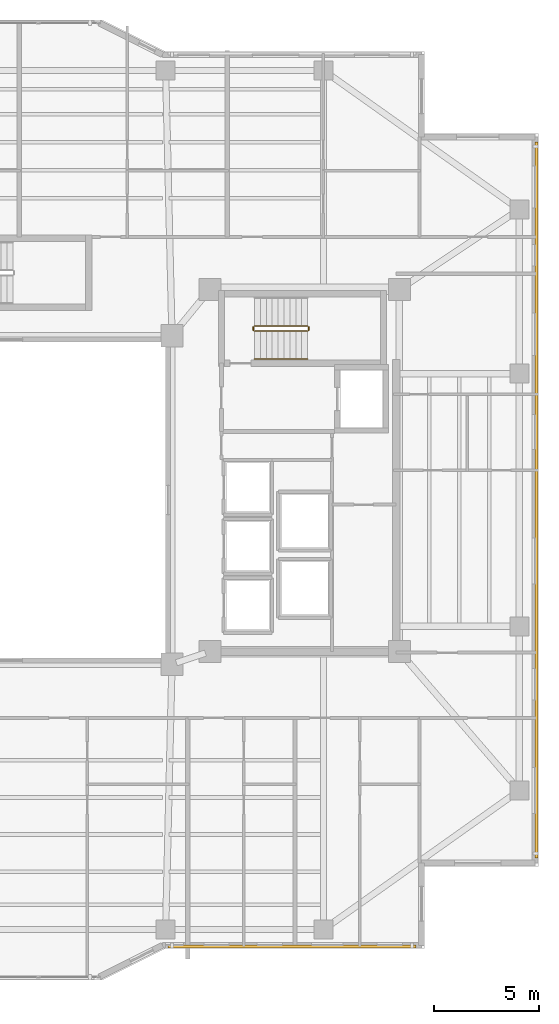
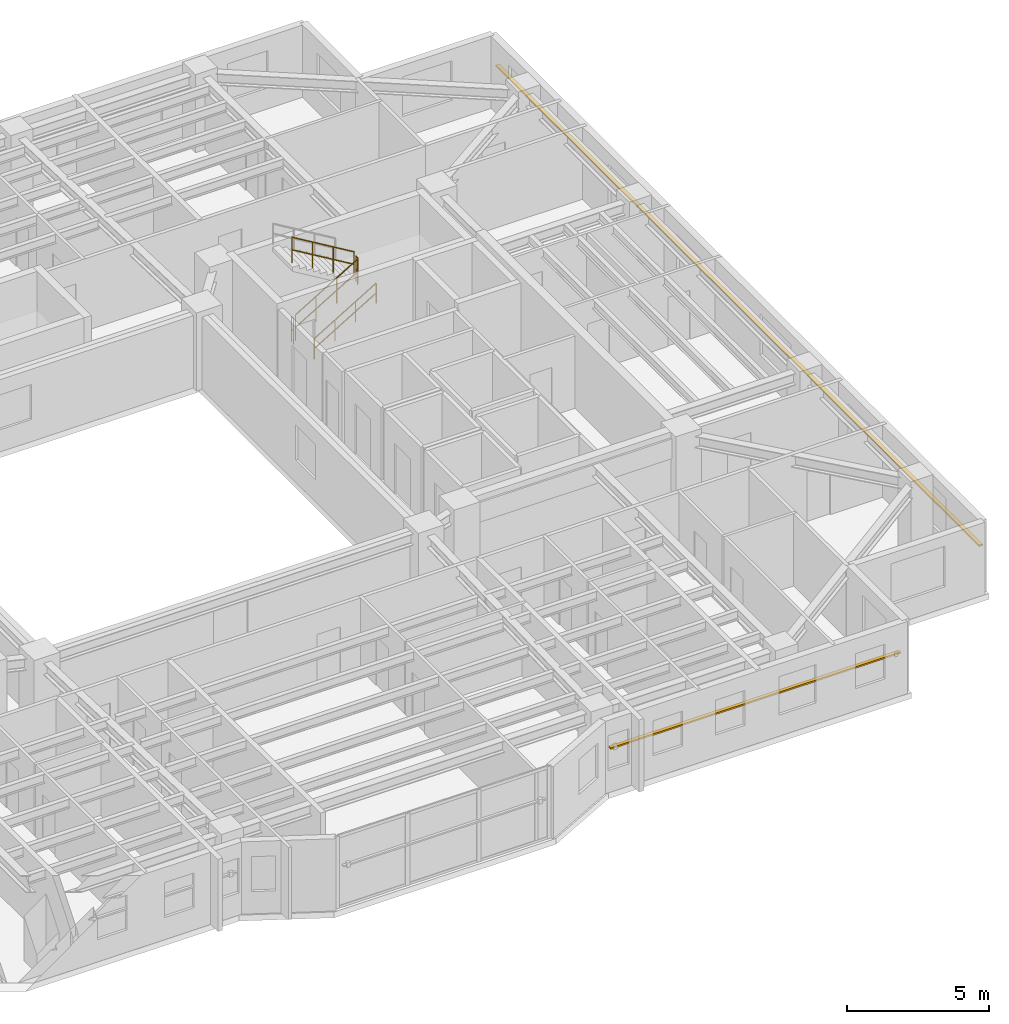
# One storey, part 15 of 16: 5 railings, 2 shading devices.
"""IFC4 building model written with IfcOpenShell, lengths in metres."""

from ifc_helpers import new_model, si_unit, direction, frame, origin, origin_2d, place, context, subcontext, project, spatial, rectangle, circle, extrude, material, material_profile, profile_set, type_object, element, save


model = new_model("IFC4")

# Units and contexts
model_context = context("Model", 3, precision=1e-05, world=origin(), true_north=direction((0.0, 1.0)))
body_context = subcontext(model_context, "Body", "Model", "MODEL_VIEW")
ifc_project = project(units=[si_unit("LENGTHUNIT", "METRE"), si_unit("AREAUNIT", "SQUARE_METRE"), si_unit("VOLUMEUNIT", "CUBIC_METRE"), si_unit("PLANEANGLEUNIT", "RADIAN"), si_unit("MASSUNIT", "GRAM", prefix="KILO")], contexts=[model_context])

# Site, building, storey
site_placement = place(None, origin())
site = spatial("IfcSite", under=ifc_project, at=site_placement, CompositionType="ELEMENT")
building_placement = place(site_placement, origin())
building = spatial("IfcBuilding", under=site, at=building_placement, Name="Tarnavaz Court Tower", CompositionType="ELEMENT")
storey_placement = place(building_placement, frame((0.0, 0.0, 135.949951171875)))
storey = spatial("IfcBuildingStorey", under=building, at=storey_placement, Name="L36", CompositionType="ELEMENT", Elevation=135.949951171875)

# Railings
ifc_material_1 = material(Name="Brushed Stainless Steel", Category="steel")
railing_type_1 = type_object("IfcRailingType", Name="RL-HANDRAIL-900", PredefinedType="HANDRAIL", material=ifc_material_1)
railing_1_placement = place(storey_placement, frame((11.719970703125, 6.699951171875, 0.16748046875)))
element("IfcRailing", 1, at=railing_1_placement, inside=storey, type_object=railing_type_1, Name="L36 ST-E1 stair handrail 1", PredefinedType="HANDRAIL", context=body_context, shape_type="SweptSolid", body=[
    extrude(circle(Radius=0.02392578125, at=origin_2d()), frame((0.0, 0.0, 0.8759765625), z_axis=(0.858159760407, 0.0, 0.513382728203), x_axis=(0.0, 1.0, 0.0)), (0.0, 0.0, 1.0), 2.9365234375),
    extrude(circle(Radius=0.02392578125, at=origin_2d()), frame((0.0, 0.0, 0.449951171875), z_axis=(0.858159760407, 0.0, 0.513382728203), x_axis=(0.0, 1.0, 0.0)), (0.0, 0.0, 1.0), 2.9365234375),
    extrude(circle(Radius=0.02099609375, at=origin_2d()), origin(), (0.0, 0.0, 1.0), 0.851806640625),
    extrude(circle(Radius=0.02099609375, at=origin_2d()), frame((0.840087890625, 0.0, 0.50244140625)), (0.0, 0.0, 1.0), 0.851806640625),
    extrude(circle(Radius=0.02099609375, at=origin_2d()), frame((1.679931640625, 0.0, 1.005126953125)), (0.0, 0.0, 1.0), 0.851806640625),
    extrude(circle(Radius=0.02099609375, at=origin_2d()), frame((2.52001953125, 0.0, 1.507568359375)), (0.0, 0.0, 1.0), 0.851806640625),
])
ifc_material_2 = material(Name="Galvanized Painted Tubular Steel", Category="steel")
railing_type_2 = type_object("IfcRailingType", Name="RL-STGUARD-1120", PredefinedType="GUARDRAIL", material=ifc_material_2)
railing_2_placement = place(storey_placement, frame((11.719970703125, 8.02001953125, 0.16748046875)))
element("IfcRailing", 2, at=railing_2_placement, inside=storey, type_object=railing_type_2, Name="L36 ST-E1 stair guard 1", PredefinedType="GUARDRAIL", context=body_context, shape_type="SweptSolid", body=[
    extrude(circle(Radius=0.02392578125, at=origin_2d()), frame((0.0, 0.0, 1.09619140625), z_axis=(0.858159760407, 0.0, 0.513382728203), x_axis=(0.0, 1.0, 0.0)), (0.0, 0.0, 1.0), 2.9365234375),
    extrude(circle(Radius=0.02392578125, at=origin_2d()), frame((0.0, 0.0, 0.56005859375), z_axis=(0.858159760407, 0.0, 0.513382728203), x_axis=(0.0, 1.0, 0.0)), (0.0, 0.0, 1.0), 2.9365234375),
    extrude(circle(Radius=0.02099609375, at=origin_2d()), origin(), (0.0, 0.0, 1.0), 1.072021484375),
    extrude(circle(Radius=0.02099609375, at=origin_2d()), frame((0.840087890625, 0.0, 0.50244140625)), (0.0, 0.0, 1.0), 1.072021484375),
    extrude(circle(Radius=0.02099609375, at=origin_2d()), frame((1.679931640625, 0.0, 1.005126953125)), (0.0, 0.0, 1.0), 1.072021484375),
    extrude(circle(Radius=0.02099609375, at=origin_2d()), frame((2.52001953125, 0.0, 1.507568359375)), (0.0, 0.0, 1.0), 1.072021484375),
])
railing_3_placement = place(storey_placement, frame((14.2900390625, 8.070068359375, 1.675048828125)))
element("IfcRailing", 3, at=railing_3_placement, inside=storey, type_object=railing_type_2, Name="L36 ST-E1 stair guard 2", PredefinedType="GUARDRAIL", context=body_context, shape_type="SweptSolid", body=[
    extrude(circle(Radius=0.02392578125, at=origin_2d()), frame((0.0, 0.0, 1.09619140625), z_axis=(0.0, 1.0, 0.0), x_axis=(-1.0, 0.0, 0.0)), (0.0, 0.0, 1.0), 0.14990234375),
    extrude(circle(Radius=0.02392578125, at=origin_2d()), frame((0.0, 0.0, 0.56005859375), z_axis=(0.0, 1.0, 0.0), x_axis=(-1.0, 0.0, 0.0)), (0.0, 0.0, 1.0), 0.14990234375),
    extrude(circle(Radius=0.02099609375, at=origin_2d()), origin(), (0.0, 0.0, 1.0), 1.072021484375),
    extrude(circle(Radius=0.02099609375, at=origin_2d()), frame((0.0, 0.14990234375, 0.0)), (0.0, 0.0, 1.0), 1.072021484375),
])
railing_4_placement = place(storey_placement, frame((14.239990234375, 8.27001953125, 1.842529296875)))
element("IfcRailing", 4, at=railing_4_placement, inside=storey, type_object=railing_type_2, Name="L36 ST-E1 stair guard 3", PredefinedType="GUARDRAIL", context=body_context, shape_type="SweptSolid", body=[
    extrude(circle(Radius=0.02392578125, at=origin_2d()), frame((0.0, 0.0, 1.09619140625), z_axis=(-0.858159760407, 0.0, 0.513382728203), x_axis=(0.0, -1.0, 0.0)), (0.0, 0.0, 1.0), 2.9365234375),
    extrude(circle(Radius=0.02392578125, at=origin_2d()), frame((0.0, 0.0, 0.56005859375), z_axis=(-0.858159760407, 0.0, 0.513382728203), x_axis=(0.0, -1.0, 0.0)), (0.0, 0.0, 1.0), 2.9365234375),
    extrude(circle(Radius=0.02099609375, at=origin_2d()), origin(), (0.0, 0.0, 1.0), 1.072021484375),
    extrude(circle(Radius=0.02099609375, at=origin_2d()), frame((-0.840087890625, 0.0, 0.50244140625)), (0.0, 0.0, 1.0), 1.072021484375),
    extrude(circle(Radius=0.02099609375, at=origin_2d()), frame((-1.679931640625, 0.0, 1.005126953125)), (0.0, 0.0, 1.0), 1.072021484375),
    extrude(circle(Radius=0.02099609375, at=origin_2d()), frame((-2.52001953125, 0.0, 1.507568359375)), (0.0, 0.0, 1.0), 1.072021484375),
])
railing_5_placement = place(storey_placement, frame((11.669921875, 8.070068359375, 0.0)))
element("IfcRailing", 5, at=railing_5_placement, inside=storey, type_object=railing_type_2, Name="L36 ST-E1 stair guard 4", PredefinedType="GUARDRAIL", context=body_context, shape_type="SweptSolid", body=[
    extrude(circle(Radius=0.02392578125, at=origin_2d()), frame((0.0, 0.0, 1.09619140625), z_axis=(0.0, 1.0, 0.0), x_axis=(-1.0, 0.0, 0.0)), (0.0, 0.0, 1.0), 0.14990234375),
    extrude(circle(Radius=0.02392578125, at=origin_2d()), frame((0.0, 0.0, 0.56005859375), z_axis=(0.0, 1.0, 0.0), x_axis=(-1.0, 0.0, 0.0)), (0.0, 0.0, 1.0), 0.14990234375),
    extrude(circle(Radius=0.02099609375, at=origin_2d()), origin(), (0.0, 0.0, 1.0), 1.072021484375),
    extrude(circle(Radius=0.02099609375, at=origin_2d()), frame((0.0, 0.14990234375, 0.0)), (0.0, 0.0, 1.0), 1.072021484375),
])

# Shading devices
ifc_material_3 = material(Name="Kiln-Fired Khorasan Terracotta Ceramic", Category="masonry")
ifc_material_profile = material_profile(ifc_material_3, rectangle(XDim=0.14990234375, YDim=0.06494140625, at=origin_2d()), Name="TC BAGUETTE 150X65")
ifc_profile_set = profile_set([ifc_material_profile], Name="Kiln-Fired Khorasan Terracotta Ceramic")
shading_device_type = type_object("IfcShadingDeviceType", Name="SD-BAG-150", PredefinedType="USERDEFINED", material=ifc_profile_set)
shading_device_1_placement = place(storey_placement, frame((25.110107421875, 17.0, 1.85009765625), z_axis=(0.0, -1.0, 0.0), x_axis=(1.0, 0.0, 0.0)))
element("IfcShadingDevice", 6, at=shading_device_1_placement, inside=storey, type_object=shading_device_type, Name="L36 Terracotta Baguette Screen FBG12", ObjectType="BAGUETTE", PredefinedType="USERDEFINED", context=body_context, shape_type="SweptSolid", body=[
    extrude(rectangle(XDim=0.14990234375, YDim=0.06494140625, at=origin_2d()), origin(), (0.0, 0.0, 1.0), 34.0),
])
shading_device_2_placement = place(storey_placement, frame((19.39990234375, -21.2099609375, 1.85009765625), z_axis=(-1.0, 0.0, 0.0), x_axis=(0.0, -1.0, 0.0)))
element("IfcShadingDevice", 7, at=shading_device_2_placement, inside=storey, type_object=shading_device_type, Name="L36 Terracotta Baguette Screen FBG15", ObjectType="BAGUETTE", PredefinedType="USERDEFINED", context=body_context, shape_type="SweptSolid", body=[
    extrude(rectangle(XDim=0.14990234375, YDim=0.06494140625, at=origin_2d()), origin(), (0.0, 0.0, 1.0), 11.7998046875),
])

save(model, "model.ifc")
